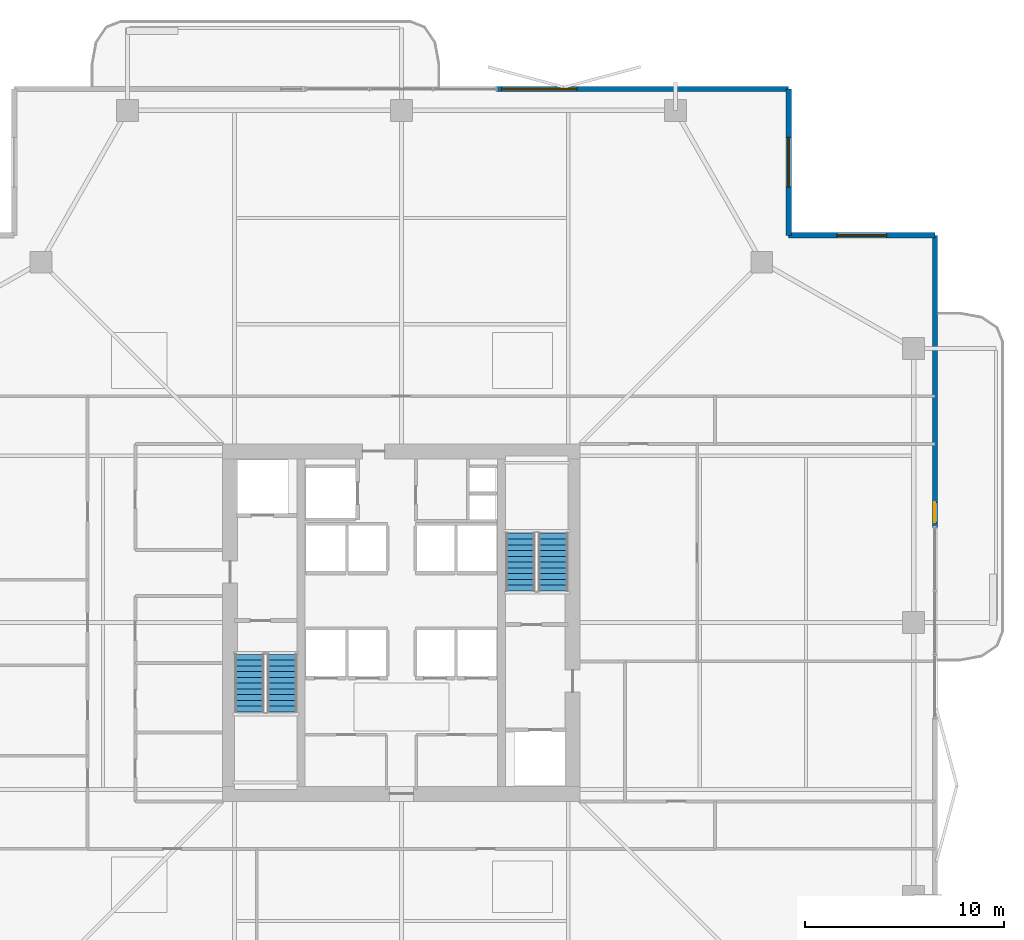
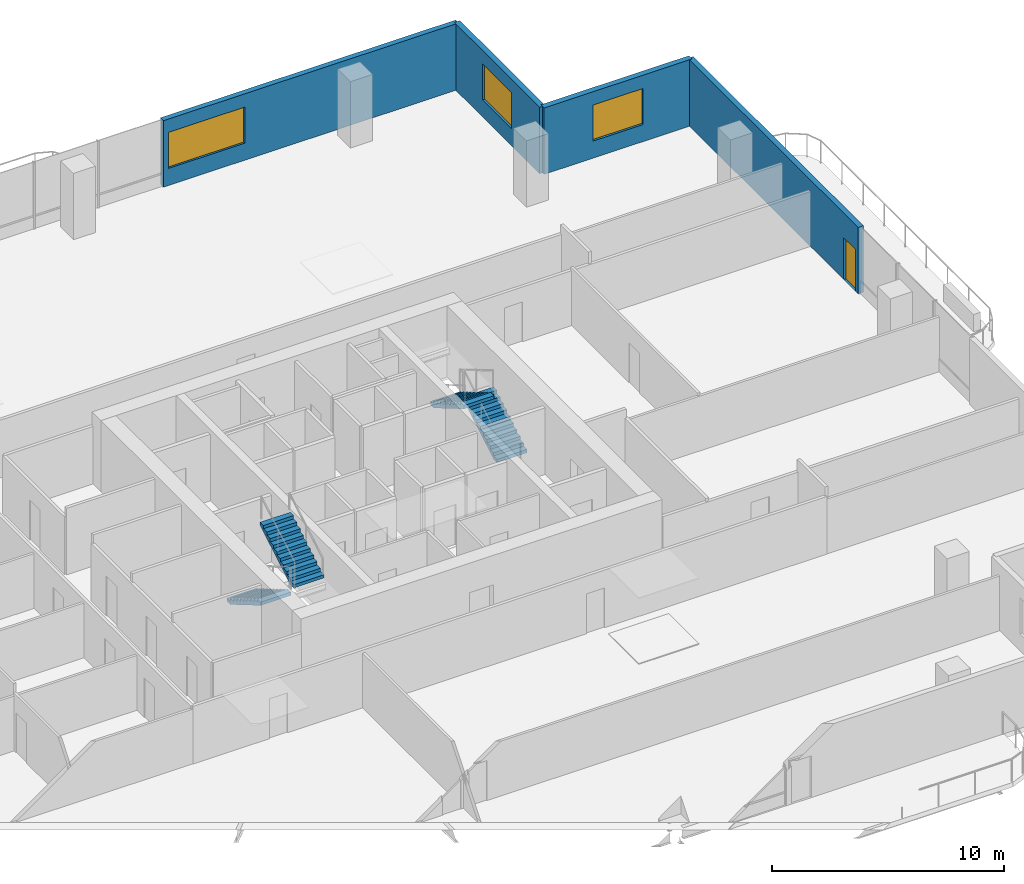
# One storey, part 20 of 24: 4 stair flights, 4 walls, 3 windows, 1 door, 4 openings, 2 elements without a shape of their own.
"""IFC4 building model written with IfcOpenShell, lengths in metres."""

from ifc_helpers import new_model, si_unit, direction, frame, frame_2d, origin, place, context, subcontext, project, spatial, polyline, rectangle, outline, extrude, material, layer, layer_set, type_object, element, fill, aggregate, save


model = new_model("IFC4")

# Units and contexts
model_context = context("Model", 3, precision=1e-05, world=origin(), true_north=direction((0.0, 1.0)))
body_context = subcontext(model_context, "Body", "Model", "MODEL_VIEW")
ifc_project = project(units=[si_unit("LENGTHUNIT", "METRE"), si_unit("AREAUNIT", "SQUARE_METRE"), si_unit("VOLUMEUNIT", "CUBIC_METRE"), si_unit("PLANEANGLEUNIT", "RADIAN"), si_unit("MASSUNIT", "GRAM", prefix="KILO")], contexts=[model_context])

# Site, building, storey
site_placement = place(None, origin())
site = spatial("IfcSite", under=ifc_project, at=site_placement, CompositionType="ELEMENT")
building_placement = place(site_placement, origin())
building = spatial("IfcBuilding", under=site, at=building_placement, Name="Belovzor Exchange Tower", CompositionType="ELEMENT")
storey_placement = place(building_placement, frame((0.0, 0.0, 214.949951171875)))
storey = spatial("IfcBuildingStorey", under=building, at=storey_placement, Name="L53", CompositionType="ELEMENT", Elevation=214.949951171875)

# Wall, opening, window
ifc_material_1 = material(Name="Precast concrete C40/50", Category="concrete")
ifc_layer_1 = layer(ifc_material_1, 0.280029296875)
ifc_layer_set_1 = layer_set([ifc_layer_1], Name="Precast concrete C40/50")
wall_type_1 = type_object("IfcWallType", Name="Precast Concrete Notched Corner Frame Wall 280", PredefinedType="SOLIDWALL", material=ifc_layer_set_1)
wall_1_placement = place(storey_placement, frame((48.300048828125, 55.669921875, 0.0), z_axis=(0.0, 0.0, 1.0), x_axis=(0.0, -1.0, 0.0)))
wall_1 = element("IfcWall", 1, at=wall_1_placement, inside=storey, type_object=wall_type_1, Name="W-CRN280 Precast Concrete Notched Corner Frame Wall 280 L53", PredefinedType="SOLIDWALL", context=body_context, shape_type="SweptSolid", body=[
    extrude(rectangle(XDim=7.369873046875, YDim=0.280029296875, at=frame_2d((3.68505859375, 0.0))), origin(), (0.0, 0.0, 1.0), 3.5),
])
opening_1_placement = place(wall_1_placement, frame((2.43505859375, 0.0, 0.89990234375)))
opening_1 = element("IfcOpeningElement", 2, at=opening_1_placement, cuts=wall_1, Name="Opening WN-CRN250", PredefinedType="OPENING", context=body_context, shape_type="SweptSolid", body=[
    extrude(rectangle(XDim=2.5, YDim=1.89990234375, at=frame_2d((1.25, 0.949951171875))), frame((0.0, 0.14990234375, 0.0), z_axis=(0.0, -1.0, 0.0), x_axis=(1.0, 0.0, 0.0)), (0.0, 0.0, 1.0), 0.300048828125),
])
ifc_material_2 = material(Name="Thermally Broken Aluminium and Triple Glazing", Category="aluminium")
window_type_1 = type_object("IfcWindowType", Name="Streamline Moderne Corner Wrap Ribbon Window 2500x1900", PartitioningType="SINGLE_PANEL", PredefinedType="WINDOW", material=ifc_material_2)
window_1_placement = place(opening_1_placement, origin())
window_1 = element("IfcWindow", 3, at=window_1_placement, inside=storey, type_object=window_type_1, Name="WN-CRN250 Streamline Moderne Corner Wrap Ribbon Window 2500x1900", OverallHeight=1.89990234375, OverallWidth=2.5, PartitioningType="SINGLE_PANEL", PredefinedType="WINDOW", context=body_context, shape_type="SweptSolid", body=[
    extrude(rectangle(XDim=2.5, YDim=1.89990234375, at=frame_2d((1.25, 0.949951171875))), frame((0.0, 0.030029296875, 0.0), z_axis=(0.0, -1.0, 0.0), x_axis=(1.0, 0.0, 0.0)), (0.0, 0.0, 1.0), 0.06005859375),
])
fill(opening_1, window_1)

wall_2_placement = place(storey_placement, frame((48.300048828125, 48.300048828125, 0.0), z_axis=(0.0, 0.0, 1.0), x_axis=(1.0, 0.0, 0.0)))
wall_2 = element("IfcWall", 4, at=wall_2_placement, inside=storey, type_object=wall_type_1, Name="W-CRN280 Precast Concrete Notched Corner Frame Wall 280 L53", PredefinedType="SOLIDWALL", context=body_context, shape_type="SweptSolid", body=[
    extrude(rectangle(XDim=7.369873046875, YDim=0.280029296875, at=frame_2d((3.68505859375, 0.0))), origin(), (0.0, 0.0, 1.0), 3.5),
])
opening_2_placement = place(wall_2_placement, frame((2.43505859375, 0.0, 0.89990234375)))
opening_2 = element("IfcOpeningElement", 5, at=opening_2_placement, cuts=wall_2, Name="Opening WN-CRN250", PredefinedType="OPENING", context=body_context, shape_type="SweptSolid", body=[
    extrude(rectangle(XDim=2.5, YDim=1.89990234375, at=frame_2d((1.25, 0.949951171875))), frame((0.0, 0.14990234375, 0.0), z_axis=(0.0, -1.0, 0.0), x_axis=(1.0, 0.0, 0.0)), (0.0, 0.0, 1.0), 0.300048828125),
])
window_2_placement = place(opening_2_placement, origin())
window_2 = element("IfcWindow", 6, at=window_2_placement, inside=storey, type_object=window_type_1, Name="WN-CRN250 Streamline Moderne Corner Wrap Ribbon Window 2500x1900", OverallHeight=1.89990234375, OverallWidth=2.5, PartitioningType="SINGLE_PANEL", PredefinedType="WINDOW", context=body_context, shape_type="SweptSolid", body=[
    extrude(rectangle(XDim=2.5, YDim=1.89990234375, at=frame_2d((1.25, 0.949951171875))), frame((0.0, 0.030029296875, 0.0), z_axis=(0.0, -1.0, 0.0), x_axis=(1.0, 0.0, 0.0)), (0.0, 0.0, 1.0), 0.06005859375),
])
fill(opening_2, window_2)

ifc_material_3 = material(Name="Precast concrete C40/50", Category="concrete")
ifc_layer_2 = layer(ifc_material_3, 0.260009765625)
ifc_layer_set_2 = layer_set([ifc_layer_2], Name="Precast concrete C40/50")
wall_type_2 = type_object("IfcWallType", Name="Precast Concrete Perimeter Loggia Frame Wall 260", PredefinedType="SOLIDWALL", material=ifc_layer_set_2)
wall_3_placement = place(storey_placement, frame((33.60009765625, 55.669921875, 0.0), z_axis=(0.0, 0.0, 1.0), x_axis=(1.0, 0.0, 0.0)))
wall_3 = element("IfcWall", 7, at=wall_3_placement, inside=storey, type_object=wall_type_2, Name="W-EXT260 Precast Concrete Perimeter Loggia Frame Wall 260 L53", PredefinedType="SOLIDWALL", context=body_context, shape_type="SweptSolid", body=[
    extrude(rectangle(XDim=14.699951171875, YDim=0.260009765625, at=frame_2d((7.35009765625, 0.0))), origin(), (0.0, 0.0, 1.0), 3.5),
])
opening_3_placement = place(wall_3_placement, frame((0.25, 0.0, 0.89990234375)))
opening_3 = element("IfcOpeningElement", 8, at=opening_3_placement, cuts=wall_3, Name="Opening WN-RIB380", PredefinedType="OPENING", context=body_context, shape_type="SweptSolid", body=[
    extrude(rectangle(XDim=3.800048828125, YDim=1.89990234375, at=frame_2d((1.89990234375, 0.949951171875))), frame((0.0, 0.139892578125, 0.0), z_axis=(0.0, -1.0, 0.0), x_axis=(1.0, 0.0, 0.0)), (0.0, 0.0, 1.0), 0.280029296875),
])
ifc_material_4 = material(Name="Thermally Broken Aluminium and Triple Glazing", Category="aluminium")
window_type_2 = type_object("IfcWindowType", Name="Streamline Moderne Horizontal Ribbon Window 3800x1900", PartitioningType="SINGLE_PANEL", PredefinedType="WINDOW", material=ifc_material_4)
window_3_placement = place(opening_3_placement, origin())
window_3 = element("IfcWindow", 9, at=window_3_placement, inside=storey, type_object=window_type_2, Name="WN-RIB380 Streamline Moderne Horizontal Ribbon Window 3800x1900", OverallHeight=1.89990234375, OverallWidth=3.800048828125, PartitioningType="SINGLE_PANEL", PredefinedType="WINDOW", context=body_context, shape_type="SweptSolid", body=[
    extrude(rectangle(XDim=3.800048828125, YDim=1.89990234375, at=frame_2d((1.89990234375, 0.949951171875))), frame((0.0, 0.030029296875, 0.0), z_axis=(0.0, -1.0, 0.0), x_axis=(1.0, 0.0, 0.0)), (0.0, 0.0, 1.0), 0.06005859375),
])
fill(opening_3, window_3)

# Wall, opening, door
wall_4_placement = place(storey_placement, frame((55.669921875, 48.300048828125, 0.0), z_axis=(0.0, 0.0, 1.0), x_axis=(0.0, -1.0, 0.0)))
wall_4 = element("IfcWall", 10, at=wall_4_placement, inside=storey, type_object=wall_type_2, Name="W-EXT260 Precast Concrete Perimeter Loggia Frame Wall 260 L53", PredefinedType="SOLIDWALL", context=body_context, shape_type="SweptSolid", body=[
    extrude(rectangle(XDim=14.699951171875, YDim=0.260009765625, at=frame_2d((7.35009765625, 0.0))), origin(), (0.0, 0.0, 1.0), 3.5),
])
opening_4_placement = place(wall_4_placement, frame((13.449951171875, 0.0, 0.0)))
opening_4 = element("IfcOpeningElement", 11, at=opening_4_placement, cuts=wall_4, Name="Opening D-BAL100", PredefinedType="OPENING", context=body_context, shape_type="SweptSolid", body=[
    extrude(rectangle(XDim=1.0, YDim=2.199951171875, at=frame_2d((0.5, 1.10009765625))), frame((0.0, 0.139892578125, 0.0), z_axis=(0.0, -1.0, 0.0), x_axis=(1.0, 0.0, 0.0)), (0.0, 0.0, 1.0), 0.280029296875),
])
ifc_material_5 = material(Name="Thermally Broken Anodised Aluminium and Laminated Glass", Category="aluminium")
door_type = type_object("IfcDoorType", Name="Planted Loggia Terrace Glazed Door 1000x2200", OperationType="SINGLE_SWING_LEFT", PredefinedType="DOOR", material=ifc_material_5)
door_placement = place(opening_4_placement, origin())
door = element("IfcDoor", 12, at=door_placement, inside=storey, type_object=door_type, Name="D-BAL100 Balcony Terrace Door L53 E", OperationType="SINGLE_SWING_LEFT", OverallHeight=2.199951171875, OverallWidth=1.0, PredefinedType="DOOR", context=body_context, shape_type="SweptSolid", body=[
    extrude(rectangle(XDim=1.0, YDim=2.199951171875, at=frame_2d((0.5, 1.10009765625))), frame((0.0, 0.02490234375, 0.0), z_axis=(0.0, -1.0, 0.0), x_axis=(1.0, 0.0, 0.0)), (0.0, 0.0, 1.0), 0.050048828125),
])
fill(opening_4, door)

# Stair, stair flights
ifc_material_6 = material(Name="Concrete C40/50", Category="concrete")
stair_type = type_object("IfcStairType", Name="Reinforced Concrete Dogleg Escape Stair 1350", PredefinedType="HALF_TURN_STAIR", material=ifc_material_6)
stair_1_placement = place(storey_placement, origin())
stair_1 = element("IfcStair", 13, at=stair_1_placement, inside=storey, type_object=stair_type, Name="L53 ST-1", PredefinedType="HALF_TURN_STAIR")
ifc_material_7 = material(Name="Concrete C40/50", Category="concrete")
stair_flight_type = type_object("IfcStairFlightType", Name="Reinforced Concrete Stair Flight 1350", PredefinedType="STRAIGHT", material=ifc_material_7)
stair_flight_1_placement = place(storey_placement, frame((21.14990234375, 27.199951171875, 0.0), z_axis=(0.0, 0.0, 1.0), x_axis=(0.0, -1.0, 0.0)))
stair_flight_1 = element("IfcStairFlight", 14, at=stair_flight_1_placement, type_object=stair_flight_type, Name="ST-1 flight 1", NumberOfRisers=11, NumberOfTreads=10, PredefinedType="STRAIGHT", RiserHeight=0.170454545, TreadLength=0.29, context=body_context, shape_type="SweptSolid", body=[
    extrude(outline(polyline([(0.0, 0.0), (0.0, 0.17041015625), (0.2900390625, 0.17041015625), (0.2900390625, 0.3408203125), (0.580078125, 0.3408203125), (0.580078125, 0.511474609375), (0.8701171875, 0.511474609375), (0.8701171875, 0.681884765625), (1.159912109375, 0.681884765625), (1.159912109375, 0.852294921875), (1.449951171875, 0.852294921875), (1.449951171875, 1.022705078125), (1.739990234375, 1.022705078125), (1.739990234375, 1.193115234375), (2.030029296875, 1.193115234375), (2.030029296875, 1.363525390625), (2.320068359375, 1.363525390625), (2.320068359375, 1.5341796875), (2.610107421875, 1.5341796875), (2.610107421875, 1.70458984375), (2.89990234375, 1.70458984375), (2.89990234375, 1.875), (2.89990234375, 1.53076171875), (0.2958984375, 0.0), (0.0, 0.0)])), frame((0.0, 0.75, 0.0), z_axis=(0.0, -1.0, 0.0), x_axis=(1.0, 0.0, 0.0)), (0.0, 0.0, 1.0), 1.5),
])
stair_flight_2_placement = place(storey_placement, frame((22.800048828125, 24.300048828125, 1.875), z_axis=(0.0, 0.0, 1.0), x_axis=(0.0, 1.0, 0.0)))
stair_flight_2 = element("IfcStairFlight", 15, at=stair_flight_2_placement, type_object=stair_flight_type, Name="ST-1 flight 2", NumberOfRisers=11, NumberOfTreads=10, PredefinedType="STRAIGHT", RiserHeight=0.170454545, TreadLength=0.29, context=body_context, shape_type="SweptSolid", body=[
    extrude(outline(polyline([(0.0, 0.0), (0.0, 0.17041015625), (0.2900390625, 0.17041015625), (0.2900390625, 0.3408203125), (0.580078125, 0.3408203125), (0.580078125, 0.511474609375), (0.8701171875, 0.511474609375), (0.8701171875, 0.681884765625), (1.159912109375, 0.681884765625), (1.159912109375, 0.852294921875), (1.449951171875, 0.852294921875), (1.449951171875, 1.022705078125), (1.739990234375, 1.022705078125), (1.739990234375, 1.193115234375), (2.030029296875, 1.193115234375), (2.030029296875, 1.363525390625), (2.320068359375, 1.363525390625), (2.320068359375, 1.5341796875), (2.610107421875, 1.5341796875), (2.610107421875, 1.70458984375), (2.89990234375, 1.70458984375), (2.89990234375, 1.875), (2.89990234375, 1.53076171875), (0.2958984375, 0.0), (0.0, 0.0)])), frame((0.0, 0.75, 0.0), z_axis=(0.0, -1.0, 0.0), x_axis=(1.0, 0.0, 0.0)), (0.0, 0.0, 1.0), 1.5),
])
aggregate(stair_1, [stair_flight_1, stair_flight_2])

stair_2_placement = place(storey_placement, origin())
stair_2 = element("IfcStair", 16, at=stair_2_placement, inside=storey, type_object=stair_type, Name="L53 ST-2", PredefinedType="HALF_TURN_STAIR")
stair_flight_3_placement = place(storey_placement, frame((36.449951171875, 30.39990234375, 0.0), z_axis=(0.0, 0.0, 1.0), x_axis=(0.0, 1.0, 0.0)))
stair_flight_3 = element("IfcStairFlight", 17, at=stair_flight_3_placement, type_object=stair_flight_type, Name="ST-2 flight 1", NumberOfRisers=11, NumberOfTreads=10, PredefinedType="STRAIGHT", RiserHeight=0.170454545, TreadLength=0.29, context=body_context, shape_type="SweptSolid", body=[
    extrude(outline(polyline([(0.0, 0.0), (0.0, 0.17041015625), (0.2900390625, 0.17041015625), (0.2900390625, 0.3408203125), (0.580078125, 0.3408203125), (0.580078125, 0.511474609375), (0.8701171875, 0.511474609375), (0.8701171875, 0.681884765625), (1.159912109375, 0.681884765625), (1.159912109375, 0.852294921875), (1.449951171875, 0.852294921875), (1.449951171875, 1.022705078125), (1.739990234375, 1.022705078125), (1.739990234375, 1.193115234375), (2.030029296875, 1.193115234375), (2.030029296875, 1.363525390625), (2.320068359375, 1.363525390625), (2.320068359375, 1.5341796875), (2.610107421875, 1.5341796875), (2.610107421875, 1.70458984375), (2.89990234375, 1.70458984375), (2.89990234375, 1.875), (2.89990234375, 1.53076171875), (0.2958984375, 0.0), (0.0, 0.0)])), frame((0.0, 0.75, 0.0), z_axis=(0.0, -1.0, 0.0), x_axis=(1.0, 0.0, 0.0)), (0.0, 0.0, 1.0), 1.5),
])
stair_flight_4_placement = place(storey_placement, frame((34.800048828125, 33.300048828125, 1.875), z_axis=(0.0, 0.0, 1.0), x_axis=(0.0, -1.0, 0.0)))
stair_flight_4 = element("IfcStairFlight", 18, at=stair_flight_4_placement, type_object=stair_flight_type, Name="ST-2 flight 2", NumberOfRisers=11, NumberOfTreads=10, PredefinedType="STRAIGHT", RiserHeight=0.170454545, TreadLength=0.29, context=body_context, shape_type="SweptSolid", body=[
    extrude(outline(polyline([(0.0, 0.0), (0.0, 0.17041015625), (0.2900390625, 0.17041015625), (0.2900390625, 0.3408203125), (0.580078125, 0.3408203125), (0.580078125, 0.511474609375), (0.8701171875, 0.511474609375), (0.8701171875, 0.681884765625), (1.159912109375, 0.681884765625), (1.159912109375, 0.852294921875), (1.449951171875, 0.852294921875), (1.449951171875, 1.022705078125), (1.739990234375, 1.022705078125), (1.739990234375, 1.193115234375), (2.030029296875, 1.193115234375), (2.030029296875, 1.363525390625), (2.320068359375, 1.363525390625), (2.320068359375, 1.5341796875), (2.610107421875, 1.5341796875), (2.610107421875, 1.70458984375), (2.89990234375, 1.70458984375), (2.89990234375, 1.875), (2.89990234375, 1.53076171875), (0.2958984375, 0.0), (0.0, 0.0)])), frame((0.0, 0.75, 0.0), z_axis=(0.0, -1.0, 0.0), x_axis=(1.0, 0.0, 0.0)), (0.0, 0.0, 1.0), 1.5),
])
aggregate(stair_2, [stair_flight_3, stair_flight_4])

save(model, "model.ifc")
